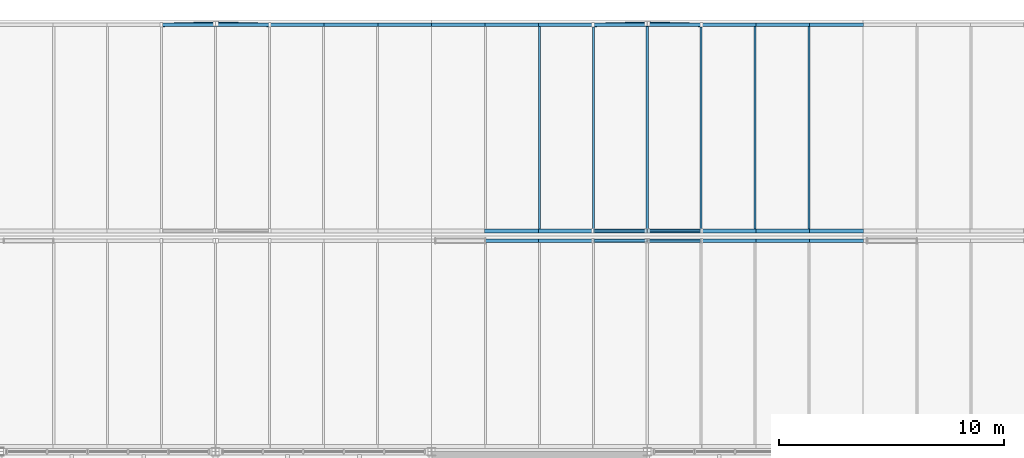
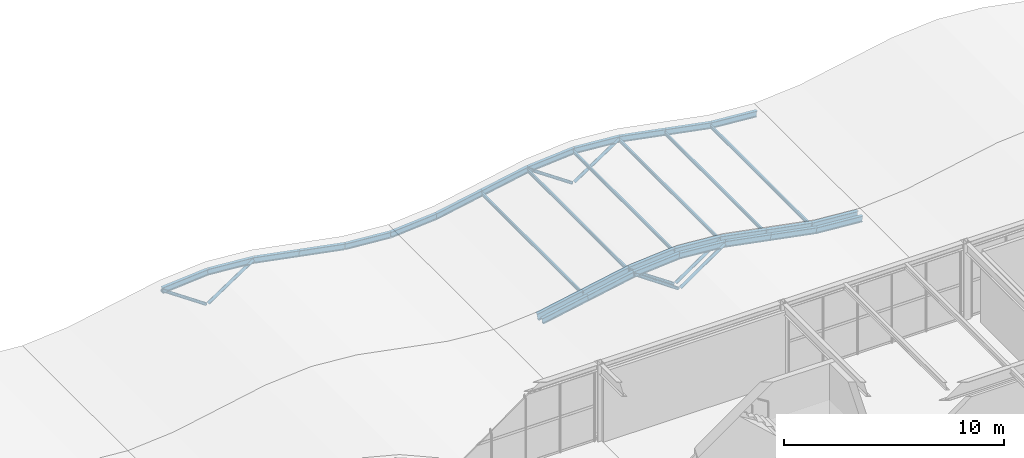
# One storey, part 111 of 170: 27 beams, 14 members.
"""IFC4 building model written with IfcOpenShell, lengths in metres."""

from ifc_helpers import new_model, si_unit, direction, frame, origin, origin_2d, place, context, subcontext, project, spatial, hollow_circle, i_section, extrude, material, material_profile, profile_set, type_object, element, save


model = new_model("IFC4")

# Units and contexts
model_context = context("Model", 3, precision=1e-05, world=origin(), true_north=direction((0.0, 1.0)))
body_context = subcontext(model_context, "Body", "Model", "MODEL_VIEW")
ifc_project = project(units=[si_unit("LENGTHUNIT", "METRE"), si_unit("AREAUNIT", "SQUARE_METRE"), si_unit("VOLUMEUNIT", "CUBIC_METRE"), si_unit("PLANEANGLEUNIT", "RADIAN"), si_unit("MASSUNIT", "GRAM", prefix="KILO")], contexts=[model_context])

# Site, building, storey
site_placement = place(None, origin())
site = spatial("IfcSite", under=ifc_project, at=site_placement, CompositionType="ELEMENT")
building_placement = place(site_placement, origin())
building = spatial("IfcBuilding", under=site, at=building_placement, Name="Coralgate Yard Interchange", CompositionType="ELEMENT")
storey_placement = place(building_placement, frame((0.0, 0.0, 6.0)))
storey = spatial("IfcBuildingStorey", under=building, at=storey_placement, Name="L01", CompositionType="ELEMENT", Elevation=6.0)

# Beams
ifc_material_1 = material(Name="Off-white architectural structural steel S355J2", Category="steel")
ifc_material_profile_1 = material_profile(ifc_material_1, i_section(OverallWidth=0.179931640625, OverallDepth=0.39990234375, WebThickness=0.008544921875, FlangeThickness=0.013427734375, FilletRadius=0.02099609375, at=origin_2d()), Name="IPE 400")
ifc_profile_set_1 = profile_set([ifc_material_profile_1], Name="Off-white architectural structural steel S355J2")
beam_type_1 = type_object("IfcBeamType", Name="BM-WR-1", PredefinedType="BEAM", material=ifc_profile_set_1)
beam_1_placement = place(storey_placement, frame((79.199951171875, 105.820068359375, -0.009521484375), z_axis=(0.982165006537, 0.0, 0.188021009287), x_axis=(0.0, 1.0, 0.0)))
element("IfcBeam", 1, at=beam_1_placement, inside=storey, type_object=beam_type_1, Name="Wave-shell steel arch rib R2-W3-S2", PredefinedType="BEAM", context=body_context, shape_type="SweptSolid", body=[
    extrude(i_section(OverallWidth=0.179931640625, OverallDepth=0.39990234375, WebThickness=0.008544921875, FlangeThickness=0.013427734375, FilletRadius=0.02099609375, at=origin_2d()), origin(), (0.0, 0.0, 1.0), 2.44384765625),
])
beam_2_placement = place(storey_placement, frame((81.60009765625, 105.820068359375, 0.449951171875), z_axis=(0.98214301705, 0.0, 0.18813583938), x_axis=(0.0, 1.0, 0.0)))
element("IfcBeam", 2, at=beam_2_placement, inside=storey, type_object=beam_type_1, Name="Wave-shell steel arch rib R2-W3-S3", PredefinedType="BEAM", context=body_context, shape_type="SweptSolid", body=[
    extrude(i_section(OverallWidth=0.179931640625, OverallDepth=0.39990234375, WebThickness=0.008544921875, FlangeThickness=0.013427734375, FilletRadius=0.02099609375, at=origin_2d()), origin(), (0.0, 0.0, 1.0), 2.443603515625),
])
beam_3_placement = place(storey_placement, frame((84.0, 105.820068359375, 0.90966796875), z_axis=(0.996866661985, 0.0, 0.079100304817), x_axis=(0.0, 1.0, 0.0)))
element("IfcBeam", 3, at=beam_3_placement, inside=storey, type_object=beam_type_1, Name="Wave-shell steel arch rib R2-W3-S4", PredefinedType="BEAM", context=body_context, shape_type="SweptSolid", body=[
    extrude(i_section(OverallWidth=0.179931640625, OverallDepth=0.39990234375, WebThickness=0.008544921875, FlangeThickness=0.013427734375, FilletRadius=0.02099609375, at=origin_2d()), origin(), (0.0, 0.0, 1.0), 2.407470703125),
])
beam_4_placement = place(storey_placement, frame((86.39990234375, 105.820068359375, 1.10009765625), z_axis=(0.996867296401, 0.0, -0.079092309144), x_axis=(0.0, 1.0, 0.0)))
element("IfcBeam", 4, at=beam_4_placement, inside=storey, type_object=beam_type_1, Name="Wave-shell steel arch rib R2-W3-S5", PredefinedType="BEAM", context=body_context, shape_type="SweptSolid", body=[
    extrude(i_section(OverallWidth=0.179931640625, OverallDepth=0.39990234375, WebThickness=0.008544921875, FlangeThickness=0.013427734375, FilletRadius=0.02099609375, at=origin_2d()), origin(), (0.0, 0.0, 1.0), 2.40771484375),
])
beam_5_placement = place(storey_placement, frame((88.800048828125, 105.820068359375, 0.90966796875), z_axis=(0.98214301705, 0.0, -0.18813583938), x_axis=(0.0, 1.0, 0.0)))
element("IfcBeam", 5, at=beam_5_placement, inside=storey, type_object=beam_type_1, Name="Wave-shell steel arch rib R2-W3-S6", PredefinedType="BEAM", context=body_context, shape_type="SweptSolid", body=[
    extrude(i_section(OverallWidth=0.179931640625, OverallDepth=0.39990234375, WebThickness=0.008544921875, FlangeThickness=0.013427734375, FilletRadius=0.02099609375, at=origin_2d()), origin(), (0.0, 0.0, 1.0), 2.443603515625),
])
beam_6_placement = place(storey_placement, frame((91.199951171875, 105.820068359375, 0.449951171875), z_axis=(0.982165006537, 0.0, -0.188021009287), x_axis=(0.0, 1.0, 0.0)))
element("IfcBeam", 6, at=beam_6_placement, inside=storey, type_object=beam_type_1, Name="Wave-shell steel arch rib R2-W3-S7", PredefinedType="BEAM", context=body_context, shape_type="SweptSolid", body=[
    extrude(i_section(OverallWidth=0.179931640625, OverallDepth=0.39990234375, WebThickness=0.008544921875, FlangeThickness=0.013427734375, FilletRadius=0.02099609375, at=origin_2d()), origin(), (0.0, 0.0, 1.0), 2.44384765625),
])
beam_7_placement = place(storey_placement, frame((93.60009765625, 105.820068359375, -0.009521484375), z_axis=(0.996866661985, 0.0, -0.079100304817), x_axis=(0.0, 1.0, 0.0)))
element("IfcBeam", 7, at=beam_7_placement, inside=storey, type_object=beam_type_1, Name="Wave-shell steel arch rib R2-W3-S8", PredefinedType="BEAM", context=body_context, shape_type="SweptSolid", body=[
    extrude(i_section(OverallWidth=0.179931640625, OverallDepth=0.39990234375, WebThickness=0.008544921875, FlangeThickness=0.013427734375, FilletRadius=0.02099609375, at=origin_2d()), origin(), (0.0, 0.0, 1.0), 2.407470703125),
])
ifc_material_profile_2 = material_profile(ifc_material_1, i_section(OverallWidth=0.159912109375, OverallDepth=0.330078125, WebThickness=0.007568359375, FlangeThickness=0.011474609375, FilletRadius=0.01806640625, at=origin_2d()), Name="IPE 330")
ifc_profile_set_2 = profile_set([ifc_material_profile_2], Name="Off-white architectural structural steel S355J2")
beam_type_2 = type_object("IfcBeamType", Name="BM-WR-2", PredefinedType="BEAM", material=ifc_profile_set_2)
beam_8_placement = place(storey_placement, frame((79.199951171875, 105.3798828125, 0.025390625), z_axis=(0.982146552954, 0.0, 0.188117379637), x_axis=(0.0, 1.0, 0.0)))
element("IfcBeam", 8, at=beam_8_placement, inside=storey, type_object=beam_type_2, Name="Wave-shell steel arch rib R1-W3-N2", PredefinedType="BEAM", context=body_context, shape_type="SweptSolid", body=[
    extrude(i_section(OverallWidth=0.159912109375, OverallDepth=0.330078125, WebThickness=0.007568359375, FlangeThickness=0.011474609375, FilletRadius=0.01806640625, at=origin_2d()), origin(), (0.0, 0.0, 1.0), 2.44384765625),
])
beam_9_placement = place(storey_placement, frame((81.60009765625, 105.3798828125, 0.485107421875), z_axis=(0.98216147419, 0.0, 0.188039460267), x_axis=(0.0, 1.0, 0.0)))
element("IfcBeam", 9, at=beam_9_placement, inside=storey, type_object=beam_type_2, Name="Wave-shell steel arch rib R1-W3-N3", PredefinedType="BEAM", context=body_context, shape_type="SweptSolid", body=[
    extrude(i_section(OverallWidth=0.159912109375, OverallDepth=0.330078125, WebThickness=0.007568359375, FlangeThickness=0.011474609375, FilletRadius=0.01806640625, at=origin_2d()), origin(), (0.0, 0.0, 1.0), 2.443603515625),
])
beam_10_placement = place(storey_placement, frame((84.0, 105.3798828125, 0.944580078125), z_axis=(0.996866661985, 0.0, 0.079100304817), x_axis=(0.0, 1.0, 0.0)))
element("IfcBeam", 10, at=beam_10_placement, inside=storey, type_object=beam_type_2, Name="Wave-shell steel arch rib R1-W3-N4", PredefinedType="BEAM", context=body_context, shape_type="SweptSolid", body=[
    extrude(i_section(OverallWidth=0.159912109375, OverallDepth=0.330078125, WebThickness=0.007568359375, FlangeThickness=0.011474609375, FilletRadius=0.01806640625, at=origin_2d()), origin(), (0.0, 0.0, 1.0), 2.407470703125),
])
beam_11_placement = place(storey_placement, frame((86.39990234375, 105.3798828125, 1.135009765625), z_axis=(0.996867296401, 0.0, -0.079092309144), x_axis=(0.0, 1.0, 0.0)))
element("IfcBeam", 11, at=beam_11_placement, inside=storey, type_object=beam_type_2, Name="Wave-shell steel arch rib R1-W3-N5", PredefinedType="BEAM", context=body_context, shape_type="SweptSolid", body=[
    extrude(i_section(OverallWidth=0.159912109375, OverallDepth=0.330078125, WebThickness=0.007568359375, FlangeThickness=0.011474609375, FilletRadius=0.01806640625, at=origin_2d()), origin(), (0.0, 0.0, 1.0), 2.40771484375),
])
beam_12_placement = place(storey_placement, frame((88.800048828125, 105.3798828125, 0.944580078125), z_axis=(0.98216147419, 0.0, -0.188039460267), x_axis=(0.0, 1.0, 0.0)))
element("IfcBeam", 12, at=beam_12_placement, inside=storey, type_object=beam_type_2, Name="Wave-shell steel arch rib R1-W3-N6", PredefinedType="BEAM", context=body_context, shape_type="SweptSolid", body=[
    extrude(i_section(OverallWidth=0.159912109375, OverallDepth=0.330078125, WebThickness=0.007568359375, FlangeThickness=0.011474609375, FilletRadius=0.01806640625, at=origin_2d()), origin(), (0.0, 0.0, 1.0), 2.443603515625),
])
beam_13_placement = place(storey_placement, frame((91.199951171875, 105.3798828125, 0.485107421875), z_axis=(0.982146552954, 0.0, -0.188117379637), x_axis=(0.0, 1.0, 0.0)))
element("IfcBeam", 13, at=beam_13_placement, inside=storey, type_object=beam_type_2, Name="Wave-shell steel arch rib R1-W3-N7", PredefinedType="BEAM", context=body_context, shape_type="SweptSolid", body=[
    extrude(i_section(OverallWidth=0.159912109375, OverallDepth=0.330078125, WebThickness=0.007568359375, FlangeThickness=0.011474609375, FilletRadius=0.01806640625, at=origin_2d()), origin(), (0.0, 0.0, 1.0), 2.44384765625),
])
for number, where, z_axis, x_axis, name in (
    (14, (93.60009765625, 105.3798828125, 0.025390625), (0.996866661985, 0.0, -0.079100304817), (0.0, 1.0, 0.0), "Wave-shell steel arch rib R1-W3-N8"),
    (15, (64.800048828125, 114.97998046875, 0.944580078125), (0.996866661985, 0.0, 0.079100304817), (0.0, 1.0, 0.0), "Wave-shell steel arch rib R2-W2-N4"),
):
    element("IfcBeam", number, at=place(storey_placement, frame(where, z_axis=z_axis, x_axis=x_axis)), inside=storey, type_object=beam_type_2, Name=name, PredefinedType="BEAM", context=body_context, shape_type="SweptSolid", body=[
        extrude(i_section(OverallWidth=0.159912109375, OverallDepth=0.330078125, WebThickness=0.007568359375, FlangeThickness=0.011474609375, FilletRadius=0.01806640625, at=origin_2d()), origin(), (0.0, 0.0, 1.0), 2.407470703125),
    ])
beam_14_placement = place(storey_placement, frame((67.199951171875, 114.97998046875, 1.135009765625), z_axis=(0.996867296401, 0.0, -0.079092309144), x_axis=(0.0, 1.0, 0.0)))
element("IfcBeam", 16, at=beam_14_placement, inside=storey, type_object=beam_type_2, Name="Wave-shell steel arch rib R2-W2-N5", PredefinedType="BEAM", context=body_context, shape_type="SweptSolid", body=[
    extrude(i_section(OverallWidth=0.159912109375, OverallDepth=0.330078125, WebThickness=0.007568359375, FlangeThickness=0.011474609375, FilletRadius=0.01806640625, at=origin_2d()), origin(), (0.0, 0.0, 1.0), 2.40771484375),
])
for number, where, z_axis, x_axis, name in (
    (17, (69.60009765625, 114.97998046875, 0.944580078125), (0.98216147419, 0.0, -0.188039460267), (0.0, 1.0, 0.0), "Wave-shell steel arch rib R2-W2-N6"),
    (18, (72.0, 114.97998046875, 0.485107421875), (0.98214301705, 0.0, -0.18813583938), (0.0, 1.0, 0.0), "Wave-shell steel arch rib R2-W2-N7"),
):
    element("IfcBeam", number, at=place(storey_placement, frame(where, z_axis=z_axis, x_axis=x_axis)), inside=storey, type_object=beam_type_2, Name=name, PredefinedType="BEAM", context=body_context, shape_type="SweptSolid", body=[
        extrude(i_section(OverallWidth=0.159912109375, OverallDepth=0.330078125, WebThickness=0.007568359375, FlangeThickness=0.011474609375, FilletRadius=0.01806640625, at=origin_2d()), origin(), (0.0, 0.0, 1.0), 2.443603515625),
    ])
beam_15_placement = place(storey_placement, frame((74.39990234375, 114.97998046875, 0.025390625), z_axis=(0.996867296401, 0.0, -0.079092309144), x_axis=(0.0, 1.0, 0.0)))
element("IfcBeam", 19, at=beam_15_placement, inside=storey, type_object=beam_type_2, Name="Wave-shell steel arch rib R2-W2-N8", PredefinedType="BEAM", context=body_context, shape_type="SweptSolid", body=[
    extrude(i_section(OverallWidth=0.159912109375, OverallDepth=0.330078125, WebThickness=0.007568359375, FlangeThickness=0.011474609375, FilletRadius=0.01806640625, at=origin_2d()), origin(), (0.0, 0.0, 1.0), 2.40771484375),
])
beam_16_placement = place(storey_placement, frame((76.800048828125, 114.97998046875, -0.1650390625), z_axis=(0.996866661985, 0.0, 0.079100304817), x_axis=(0.0, 1.0, 0.0)))
element("IfcBeam", 20, at=beam_16_placement, inside=storey, type_object=beam_type_2, Name="Wave-shell steel arch rib R2-W3-N1", PredefinedType="BEAM", context=body_context, shape_type="SweptSolid", body=[
    extrude(i_section(OverallWidth=0.159912109375, OverallDepth=0.330078125, WebThickness=0.007568359375, FlangeThickness=0.011474609375, FilletRadius=0.01806640625, at=origin_2d()), origin(), (0.0, 0.0, 1.0), 2.407470703125),
])
beam_17_placement = place(storey_placement, frame((79.199951171875, 114.97998046875, 0.025390625), z_axis=(0.982146552954, 0.0, 0.188117379637), x_axis=(0.0, 1.0, 0.0)))
element("IfcBeam", 21, at=beam_17_placement, inside=storey, type_object=beam_type_2, Name="Wave-shell steel arch rib R2-W3-N2", PredefinedType="BEAM", context=body_context, shape_type="SweptSolid", body=[
    extrude(i_section(OverallWidth=0.159912109375, OverallDepth=0.330078125, WebThickness=0.007568359375, FlangeThickness=0.011474609375, FilletRadius=0.01806640625, at=origin_2d()), origin(), (0.0, 0.0, 1.0), 2.44384765625),
])
beam_18_placement = place(storey_placement, frame((81.60009765625, 114.97998046875, 0.485107421875), z_axis=(0.98216147419, 0.0, 0.188039460267), x_axis=(0.0, 1.0, 0.0)))
element("IfcBeam", 22, at=beam_18_placement, inside=storey, type_object=beam_type_2, Name="Wave-shell steel arch rib R2-W3-N3", PredefinedType="BEAM", context=body_context, shape_type="SweptSolid", body=[
    extrude(i_section(OverallWidth=0.159912109375, OverallDepth=0.330078125, WebThickness=0.007568359375, FlangeThickness=0.011474609375, FilletRadius=0.01806640625, at=origin_2d()), origin(), (0.0, 0.0, 1.0), 2.443603515625),
])
beam_19_placement = place(storey_placement, frame((84.0, 114.97998046875, 0.944580078125), z_axis=(0.996866661985, 0.0, 0.079100304817), x_axis=(0.0, 1.0, 0.0)))
element("IfcBeam", 23, at=beam_19_placement, inside=storey, type_object=beam_type_2, Name="Wave-shell steel arch rib R2-W3-N4", PredefinedType="BEAM", context=body_context, shape_type="SweptSolid", body=[
    extrude(i_section(OverallWidth=0.159912109375, OverallDepth=0.330078125, WebThickness=0.007568359375, FlangeThickness=0.011474609375, FilletRadius=0.01806640625, at=origin_2d()), origin(), (0.0, 0.0, 1.0), 2.407470703125),
])
beam_20_placement = place(storey_placement, frame((86.39990234375, 114.97998046875, 1.135009765625), z_axis=(0.996867296401, 0.0, -0.079092309144), x_axis=(0.0, 1.0, 0.0)))
element("IfcBeam", 24, at=beam_20_placement, inside=storey, type_object=beam_type_2, Name="Wave-shell steel arch rib R2-W3-N5", PredefinedType="BEAM", context=body_context, shape_type="SweptSolid", body=[
    extrude(i_section(OverallWidth=0.159912109375, OverallDepth=0.330078125, WebThickness=0.007568359375, FlangeThickness=0.011474609375, FilletRadius=0.01806640625, at=origin_2d()), origin(), (0.0, 0.0, 1.0), 2.40771484375),
])
beam_21_placement = place(storey_placement, frame((88.800048828125, 114.97998046875, 0.944580078125), z_axis=(0.98216147419, 0.0, -0.188039460267), x_axis=(0.0, 1.0, 0.0)))
element("IfcBeam", 25, at=beam_21_placement, inside=storey, type_object=beam_type_2, Name="Wave-shell steel arch rib R2-W3-N6", PredefinedType="BEAM", context=body_context, shape_type="SweptSolid", body=[
    extrude(i_section(OverallWidth=0.159912109375, OverallDepth=0.330078125, WebThickness=0.007568359375, FlangeThickness=0.011474609375, FilletRadius=0.01806640625, at=origin_2d()), origin(), (0.0, 0.0, 1.0), 2.443603515625),
])
beam_22_placement = place(storey_placement, frame((91.199951171875, 114.97998046875, 0.485107421875), z_axis=(0.982146552954, 0.0, -0.188117379637), x_axis=(0.0, 1.0, 0.0)))
element("IfcBeam", 26, at=beam_22_placement, inside=storey, type_object=beam_type_2, Name="Wave-shell steel arch rib R2-W3-N7", PredefinedType="BEAM", context=body_context, shape_type="SweptSolid", body=[
    extrude(i_section(OverallWidth=0.159912109375, OverallDepth=0.330078125, WebThickness=0.007568359375, FlangeThickness=0.011474609375, FilletRadius=0.01806640625, at=origin_2d()), origin(), (0.0, 0.0, 1.0), 2.44384765625),
])
beam_23_placement = place(storey_placement, frame((93.60009765625, 114.97998046875, 0.025390625), z_axis=(0.996866661985, 0.0, -0.079100304817), x_axis=(0.0, 1.0, 0.0)))
element("IfcBeam", 27, at=beam_23_placement, inside=storey, type_object=beam_type_2, Name="Wave-shell steel arch rib R2-W3-N8", PredefinedType="BEAM", context=body_context, shape_type="SweptSolid", body=[
    extrude(i_section(OverallWidth=0.159912109375, OverallDepth=0.330078125, WebThickness=0.007568359375, FlangeThickness=0.011474609375, FilletRadius=0.01806640625, at=origin_2d()), origin(), (0.0, 0.0, 1.0), 2.407470703125),
])

# Members
ifc_material_2 = material(Name="Yellow-ochre weather-coated structural steel S355J2", Category="steel")
ifc_material_profile_3 = material_profile(ifc_material_2, hollow_circle(Radius=0.084228515625, WallThickness=0.008056640625, at=origin_2d()), Name="CHS 168.3x8")
ifc_profile_set_3 = profile_set([ifc_material_profile_3], Name="Yellow-ochre weather-coated structural steel S355J2")
member_type_1 = type_object("IfcMemberType", Name="MB-HG-2", PredefinedType="STRUT", material=ifc_profile_set_3)
for number, where, z_axis, x_axis, name in (
    (28, (86.340087890625, 105.3798828125, -0.679931640625), (-0.821460297875, 0.0, 0.570265709135), (0.0, -1.0, 0.0), "Wave-shell inclined V-strut WVBR-R1-W3-N-L"),
    (29, (86.4599609375, 105.3798828125, -0.679931640625), (0.821460297875, 0.0, 0.570265709135), (0.0, 1.0, 0.0), "Wave-shell inclined V-strut WVBR-R1-W3-N-R"),
):
    element("IfcMember", number, at=place(storey_placement, frame(where, z_axis=z_axis, x_axis=x_axis)), inside=storey, type_object=member_type_1, Name=name, PredefinedType="STRUT", context=body_context, shape_type="SweptSolid", body=[
        extrude(hollow_circle(Radius=0.084228515625, WallThickness=0.008056640625, at=origin_2d()), origin(), (0.0, 0.0, 1.0), 2.8486328125),
    ])
member_1_placement = place(storey_placement, frame((67.139892578125, 115.0400390625, -0.679931640625), z_axis=(-0.821249901259, -0.021079661489, 0.570179136371), x_axis=(0.025659328394, -0.999670745229, 0.0)))
element("IfcMember", 30, at=member_1_placement, inside=storey, type_object=member_type_1, Name="Wave-shell inclined V-strut WVBR-R2-W2-N-L", PredefinedType="STRUT", context=body_context, shape_type="SweptSolid", body=[
    extrude(hollow_circle(Radius=0.084228515625, WallThickness=0.008056640625, at=origin_2d()), origin(), (0.0, 0.0, 1.0), 2.84912109375),
])
member_2_placement = place(storey_placement, frame((67.260009765625, 115.0400390625, -0.679931640625), z_axis=(0.821277794471, -0.021078178137, 0.570139013501), x_axis=(0.025656653127, 0.999670813893, 0.0)))
element("IfcMember", 31, at=member_2_placement, inside=storey, type_object=member_type_1, Name="Wave-shell inclined V-strut WVBR-R2-W2-N-R", PredefinedType="STRUT", context=body_context, shape_type="SweptSolid", body=[
    extrude(hollow_circle(Radius=0.084228515625, WallThickness=0.008056640625, at=origin_2d()), origin(), (0.0, 0.0, 1.0), 2.849365234375),
])
for number, where, z_axis, x_axis, name in (
    (32, (86.340087890625, 105.820068359375, -0.679931640625), (-0.827199283426, 0.0, 0.561908662951), (0.0, -1.0, 0.0), "Wave-shell inclined V-strut WVBR-R2-W3-S-L"),
    (33, (86.4599609375, 105.820068359375, -0.679931640625), (0.827199283426, 0.0, 0.561908662951), (0.0, 1.0, 0.0), "Wave-shell inclined V-strut WVBR-R2-W3-S-R"),
):
    element("IfcMember", number, at=place(storey_placement, frame(where, z_axis=z_axis, x_axis=x_axis)), inside=storey, type_object=member_type_1, Name=name, PredefinedType="STRUT", context=body_context, shape_type="SweptSolid", body=[
        extrude(hollow_circle(Radius=0.084228515625, WallThickness=0.008056640625, at=origin_2d()), origin(), (0.0, 0.0, 1.0), 2.828857421875),
    ])
for number, where, z_axis, x_axis, name in (
    (34, (86.340087890625, 115.0400390625, -0.679931640625), (-0.821277794471, -0.021078178137, 0.570139013501), (0.025656653127, -0.999670813893, 0.0), "Wave-shell inclined V-strut WVBR-R2-W3-N-L"),
    (35, (86.4599609375, 115.0400390625, -0.679931640625), (0.821277794471, -0.021078178137, 0.570139013501), (0.025656653127, 0.999670813893, 0.0), "Wave-shell inclined V-strut WVBR-R2-W3-N-R"),
):
    element("IfcMember", number, at=place(storey_placement, frame(where, z_axis=z_axis, x_axis=x_axis)), inside=storey, type_object=member_type_1, Name=name, PredefinedType="STRUT", context=body_context, shape_type="SweptSolid", body=[
        extrude(hollow_circle(Radius=0.084228515625, WallThickness=0.008056640625, at=origin_2d()), origin(), (0.0, 0.0, 1.0), 2.849365234375),
    ])
ifc_material_profile_4 = material_profile(ifc_material_1, i_section(OverallWidth=0.091064453125, OverallDepth=0.179931640625, WebThickness=0.00537109375, FlangeThickness=0.008056640625, FilletRadius=0.009033203125, at=origin_2d()), Name="IPE 180")
ifc_profile_set_4 = profile_set([ifc_material_profile_4], Name="Off-white architectural structural steel S355J2")
member_type_2 = type_object("IfcMemberType", Name="MB-PR-2", PredefinedType="PURLIN", material=ifc_profile_set_4)
for number, where, z_axis, x_axis, name in (
    (36, (81.60009765625, 105.800048828125, 0.409912109375), (0.0, 1.0, 0.0), (-1.0, 0.0, 0.0), "Wave-shell purlin R2-W3-3"),
    (37, (84.0, 105.800048828125, 0.86962890625), (0.0, 1.0, 0.0), (-1.0, 0.0, 0.0), "Wave-shell purlin R2-W3-4"),
    (38, (86.39990234375, 105.800048828125, 1.06005859375), (0.0, 1.0, 0.0), (-1.0, 0.0, 0.0), "Wave-shell purlin R2-W3-5"),
    (39, (88.800048828125, 105.800048828125, 0.86962890625), (0.0, 1.0, 0.0), (-1.0, 0.0, 0.0), "Wave-shell purlin R2-W3-6"),
    (40, (91.199951171875, 105.800048828125, 0.409912109375), (0.0, 1.0, 0.0), (-1.0, 0.0, 0.0), "Wave-shell purlin R2-W3-7"),
    (41, (93.60009765625, 105.800048828125, -0.049560546875), (0.0, 1.0, 0.0), (-1.0, 0.0, 0.0), "Wave-shell purlin R2-W3-8"),
):
    element("IfcMember", number, at=place(storey_placement, frame(where, z_axis=z_axis, x_axis=x_axis)), inside=storey, type_object=member_type_2, Name=name, PredefinedType="PURLIN", context=body_context, shape_type="SweptSolid", body=[
        extrude(i_section(OverallWidth=0.091064453125, OverallDepth=0.179931640625, WebThickness=0.00537109375, FlangeThickness=0.008056640625, FilletRadius=0.009033203125, at=origin_2d()), origin(), (0.0, 0.0, 1.0), 9.199951171875),
    ])

save(model, "model.ifc")
